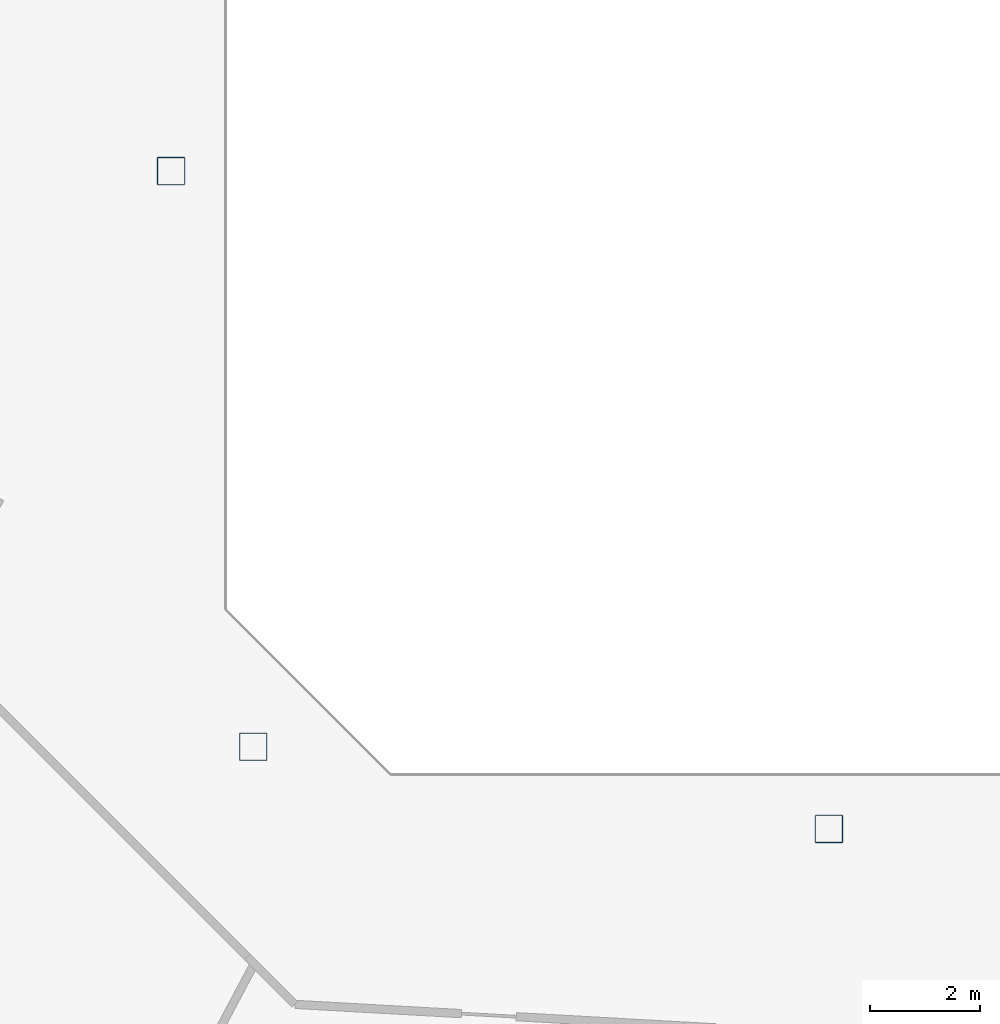
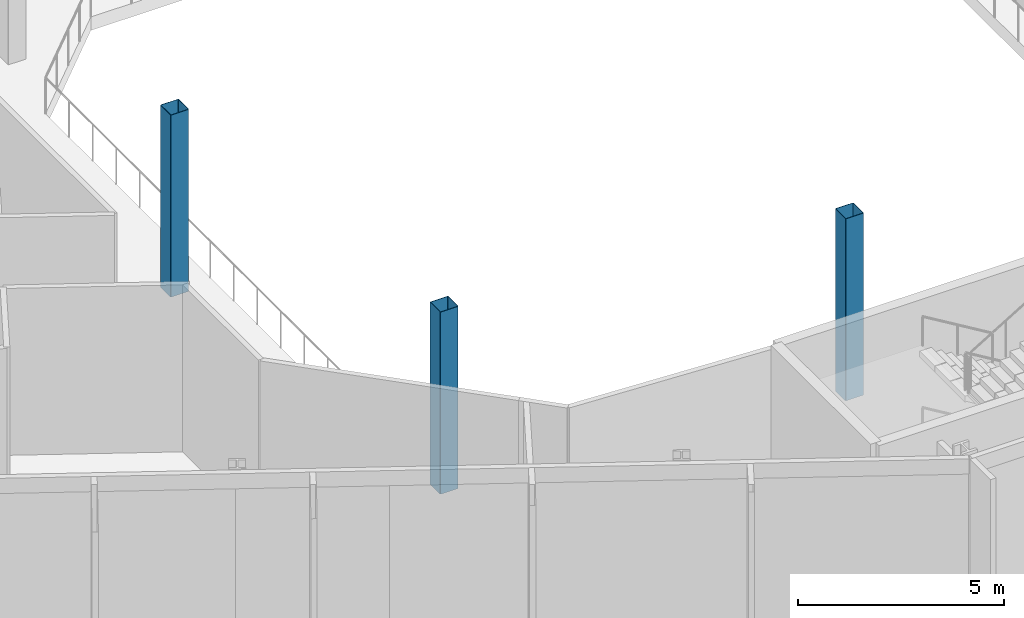
# One storey, part 2 of 31: 3 columns.
"""IFC4 building model written with IfcOpenShell, lengths in metres."""

from ifc_helpers import new_model, si_unit, direction, frame, origin, origin_2d, place, context, subcontext, project, spatial, hollow_rectangle, extrude, material, material_profile, profile_set, type_object, element, save


model = new_model("IFC4")

# Units and contexts
model_context = context("Model", 3, precision=1e-05, world=origin(), true_north=direction((0.0, 1.0)))
body_context = subcontext(model_context, "Body", "Model", "MODEL_VIEW")
ifc_project = project(units=[si_unit("LENGTHUNIT", "METRE"), si_unit("AREAUNIT", "SQUARE_METRE"), si_unit("VOLUMEUNIT", "CUBIC_METRE"), si_unit("PLANEANGLEUNIT", "RADIAN"), si_unit("MASSUNIT", "GRAM", prefix="KILO")], contexts=[model_context])

# Site, building, storey
site_placement = place(None, origin())
site = spatial("IfcSite", under=ifc_project, at=site_placement, CompositionType="ELEMENT")
building_placement = place(site_placement, origin())
building = spatial("IfcBuilding", under=site, at=building_placement, Name="Cormorant Relay Tower", CompositionType="ELEMENT")
storey_placement = place(building_placement, frame((0.0, 0.0, 178.199951171875)))
storey = spatial("IfcBuildingStorey", under=building, at=storey_placement, Name="L38", CompositionType="ELEMENT", Elevation=178.199951171875)

# Columns
ifc_material = material(Name="Steel ASTM A500 Grade C (Fy 345 MPa)", Category="steel")
ifc_material_profile = material_profile(ifc_material, hollow_rectangle(XDim=0.508056640625, YDim=0.508056640625, WallThickness=0.01171875, InnerFilletRadius=0.005859375, OuterFilletRadius=0.017822265625, at=origin_2d()), Name="HSS508x508x12")
ifc_profile_set = profile_set([ifc_material_profile], Name="Steel ASTM A500 Grade C (Fy 345 MPa)")
column_type = type_object("IfcColumnType", Name="Column HSS508x508x12", PredefinedType="COLUMN", material=ifc_profile_set)
for number, where, z_axis, x_axis, name in (
    (1, (0.0, -12.0, 0.0), (0.0, 0.0, 1.0), (1.0, 0.0, 0.0), "Column L38-007"),
    (2, (-10.5, -10.5, 0.0), (0.0, 0.0, 1.0), (1.0, 0.0, 0.0), "Column L38-009"),
    (3, (-12.0, 0.0, 0.0), (0.0, 0.0, 1.0), (1.0, 0.0, 0.0), "Column L38-015"),
):
    element("IfcColumn", number, at=place(storey_placement, frame(where, z_axis=z_axis, x_axis=x_axis)), inside=storey, type_object=column_type, Name=name, PredefinedType="COLUMN", context=body_context, shape_type="SweptSolid", body=[
        extrude(hollow_rectangle(XDim=0.508056640625, YDim=0.508056640625, WallThickness=0.01171875, InnerFilletRadius=0.005859375, OuterFilletRadius=0.017822265625, at=origin_2d()), origin(), (0.0, 0.0, 1.0), 5.400146484375),
    ])

save(model, "model.ifc")
